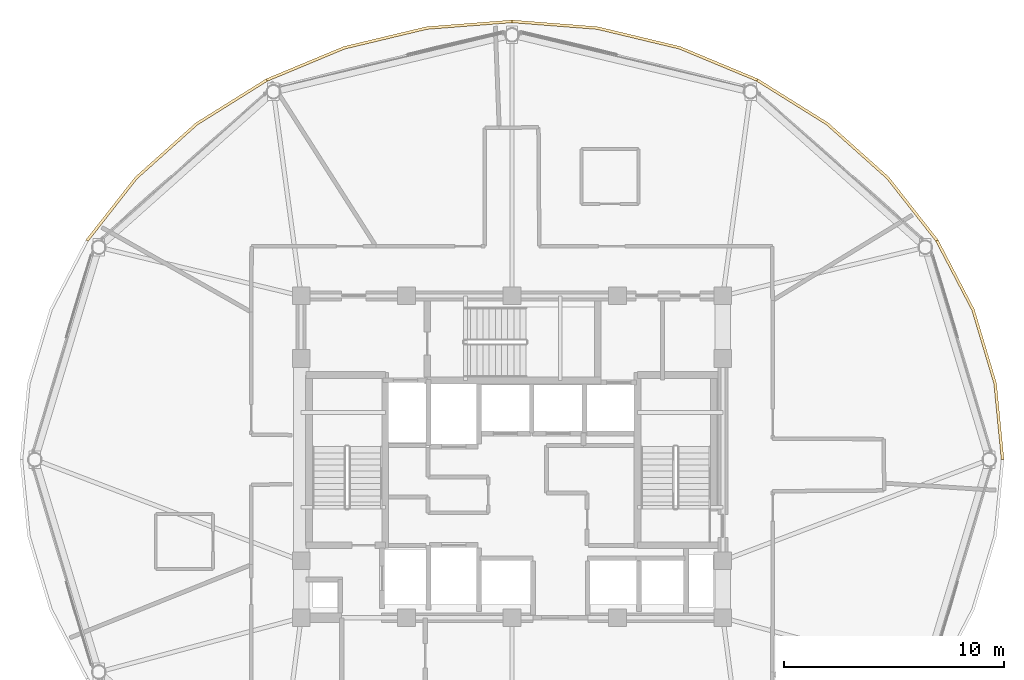
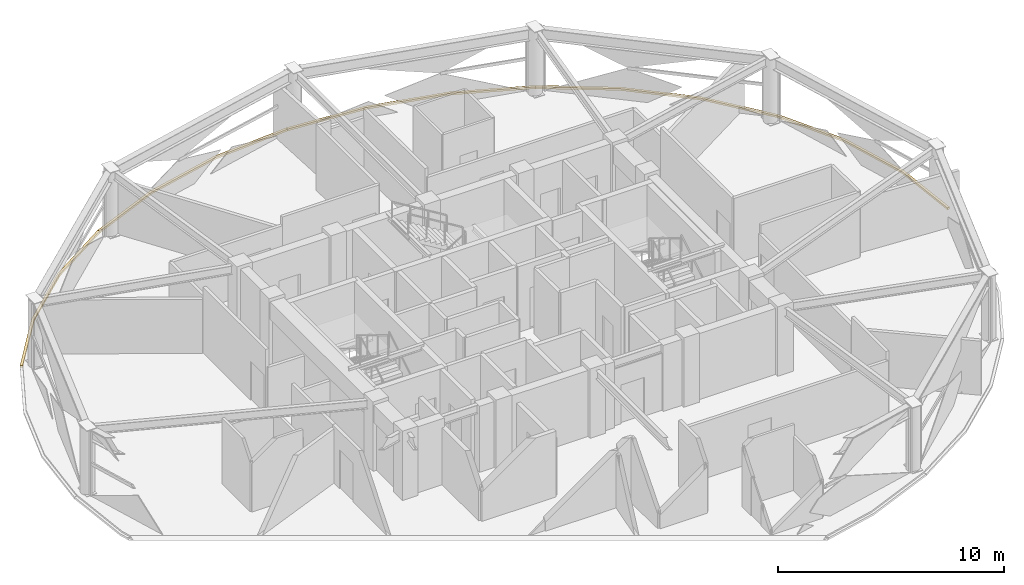
# One storey, part 28 of 28: 5 coverings.
"""IFC4 building model written with IfcOpenShell, lengths in metres."""

from ifc_helpers import new_model, si_unit, direction, frame, origin, place, context, subcontext, project, spatial, polyline, outline, extrude, material, layer, layer_set, type_object, element, save


model = new_model("IFC4")

# Units and contexts
model_context = context("Model", 3, precision=1e-05, world=origin(), true_north=direction((0.0, 1.0)))
body_context = subcontext(model_context, "Body", "Model", "MODEL_VIEW")
ifc_project = project(units=[si_unit("LENGTHUNIT", "METRE"), si_unit("AREAUNIT", "SQUARE_METRE"), si_unit("VOLUMEUNIT", "CUBIC_METRE"), si_unit("PLANEANGLEUNIT", "RADIAN"), si_unit("MASSUNIT", "GRAM", prefix="KILO")], contexts=[model_context])

# Site, building, storey
site_placement = place(None, origin())
site = spatial("IfcSite", under=ifc_project, at=site_placement, CompositionType="ELEMENT")
building_placement = place(site_placement, origin())
building = spatial("IfcBuilding", under=site, at=building_placement, Name="Vantalir Tower", CompositionType="ELEMENT")
storey_placement = place(building_placement, frame((0.0, 0.0, 246.14990234375)))
storey = spatial("IfcBuildingStorey", under=building, at=storey_placement, Name="L62", CompositionType="ELEMENT", Elevation=246.14990234375)

# Coverings
ifc_material = material(Name="Anodised champagne aluminium sill fascia", Category="aluminium")
ifc_layer = layer(ifc_material, 0.125)
ifc_layer_set = layer_set([ifc_layer], Name="Anodised champagne aluminium sill fascia")
covering_type = type_object("IfcCoveringType", Name="COV-SLAB-FASCIA-125", PredefinedType="CLADDING", material=ifc_layer_set)
covering_1_placement = place(storey_placement, frame((0.0, 0.0, -0.179931640625)))
element("IfcCovering", 1, at=covering_1_placement, inside=storey, type_object=covering_type, Name="L62 Perimeter Slab-Edge Sill Fascia 01", PredefinedType="CLADDING", context=body_context, shape_type="SweptSolid", body=[
    extrude(outline(polyline([(53.89306640625, 25.0), (53.552978515625, 28.47412109375), (52.54296875, 31.843017578125), (50.89306640625, 35.00390625), (50.784912109375, 34.94091796875), (52.425048828125, 31.800048828125), (53.429931640625, 28.452880859375), (53.76806640625, 25.0), (53.89306640625, 25.0)])), origin(), (0.0, 0.0, 1.0), 0.10498046875),
])
covering_2_placement = place(storey_placement, frame((0.0, 0.0, -0.179931640625)))
element("IfcCovering", 2, at=covering_2_placement, inside=storey, type_object=covering_type, Name="L62 Perimeter Slab-Edge Sill Fascia 02", PredefinedType="CLADDING", context=body_context, shape_type="SweptSolid", body=[
    extrude(outline(polyline([(50.89306640625, 35.00390625), (48.654052734375, 37.861083984375), (45.89404296875, 40.326904296875), (42.697021484375, 42.326904296875), (42.634033203125, 42.218994140625), (45.81396484375, 40.23095703125), (48.55810546875, 37.781005859375), (50.784912109375, 34.94091796875), (50.89306640625, 35.00390625)])), origin(), (0.0, 0.0, 1.0), 0.10498046875),
])
covering_3_placement = place(storey_placement, frame((0.0, 0.0, -0.179931640625)))
element("IfcCovering", 3, at=covering_3_placement, inside=storey, type_object=covering_type, Name="L62 Perimeter Slab-Edge Sill Fascia 03", PredefinedType="CLADDING", context=body_context, shape_type="SweptSolid", body=[
    extrude(outline(polyline([(42.697021484375, 42.326904296875), (39.158935546875, 43.801025390625), (35.388916015625, 44.7041015625), (31.5, 45.008056640625), (31.5, 44.883056640625), (35.366943359375, 44.5810546875), (39.115966796875, 43.68408203125), (42.634033203125, 42.218994140625), (42.697021484375, 42.326904296875)])), origin(), (0.0, 0.0, 1.0), 0.10498046875),
])
covering_4_placement = place(storey_placement, frame((0.0, 0.0, -0.179931640625)))
element("IfcCovering", 4, at=covering_4_placement, inside=storey, type_object=covering_type, Name="L62 Perimeter Slab-Edge Sill Fascia 04", PredefinedType="CLADDING", context=body_context, shape_type="SweptSolid", body=[
    extrude(outline(polyline([(31.5, 45.008056640625), (27.611083984375, 44.7041015625), (23.841064453125, 43.801025390625), (20.303955078125, 42.326904296875), (20.365966796875, 42.218994140625), (23.884033203125, 43.68408203125), (27.633056640625, 44.5810546875), (31.5, 44.883056640625), (31.5, 45.008056640625)])), origin(), (0.0, 0.0, 1.0), 0.10498046875),
])
covering_5_placement = place(storey_placement, frame((0.0, 0.0, -0.179931640625)))
element("IfcCovering", 5, at=covering_5_placement, inside=storey, type_object=covering_type, Name="L62 Perimeter Slab-Edge Sill Fascia 05", PredefinedType="CLADDING", context=body_context, shape_type="SweptSolid", body=[
    extrude(outline(polyline([(20.303955078125, 42.326904296875), (17.10595703125, 40.326904296875), (14.345947265625, 37.861083984375), (12.10693359375, 35.00390625), (12.215087890625, 34.94091796875), (14.44189453125, 37.781005859375), (17.18603515625, 40.23095703125), (20.365966796875, 42.218994140625), (20.303955078125, 42.326904296875)])), origin(), (0.0, 0.0, 1.0), 0.10498046875),
])

save(model, "model.ifc")
